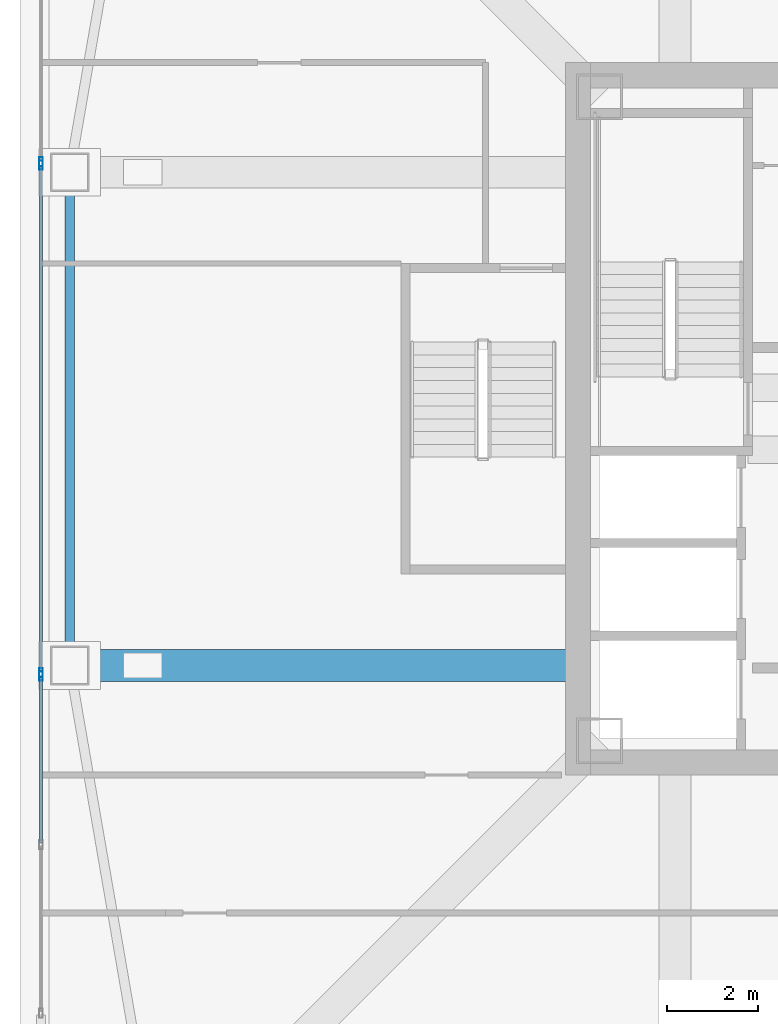
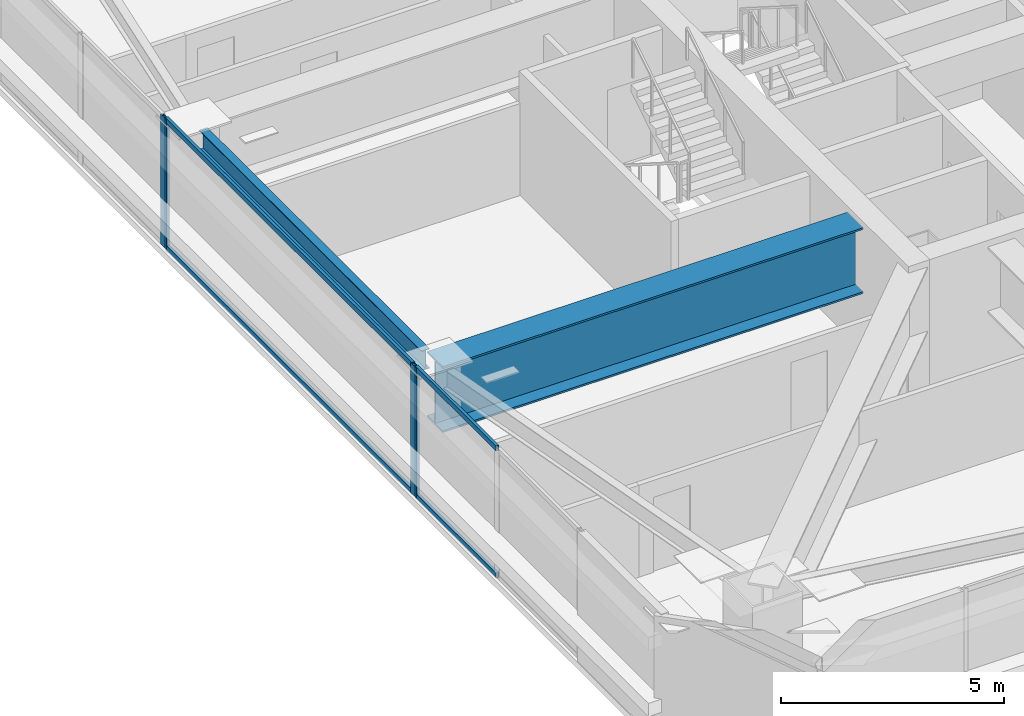
# One storey, part 7 of 42: 8 members, 2 beams, 3 elements without a shape of their own.
"""IFC4 building model written with IfcOpenShell, lengths in metres."""

from ifc_helpers import new_model, si_unit, direction, frame, origin, origin_2d, place, context, subcontext, project, spatial, hollow_rectangle, i_section, extrude, material, material_profile, profile_set, type_object, element, aggregate, save


model = new_model("IFC4")

# Units and contexts
model_context = context("Model", 3, precision=1e-05, world=origin(), true_north=direction((0.0, 1.0)))
body_context = subcontext(model_context, "Body", "Model", "MODEL_VIEW")
ifc_project = project(units=[si_unit("LENGTHUNIT", "METRE"), si_unit("AREAUNIT", "SQUARE_METRE"), si_unit("VOLUMEUNIT", "CUBIC_METRE"), si_unit("PLANEANGLEUNIT", "RADIAN"), si_unit("MASSUNIT", "GRAM", prefix="KILO")], contexts=[model_context])

# Site, building, storey
site_placement = place(None, origin())
site = spatial("IfcSite", under=ifc_project, at=site_placement, CompositionType="ELEMENT")
building_placement = place(site_placement, origin())
building = spatial("IfcBuilding", under=site, at=building_placement, Name="Tashvorn Skyway Center", CompositionType="ELEMENT")
storey_placement = place(building_placement, frame((0.0, 0.0, 153.449951171875)))
storey = spatial("IfcBuildingStorey", under=building, at=storey_placement, Name="L41", CompositionType="ELEMENT", Elevation=153.449951171875)

# Beams
ifc_material_1 = material(Name="Steel ASTM A572 Grade 50", Category="steel")
ifc_material_profile_1 = material_profile(ifc_material_1, i_section(OverallWidth=0.699951171875, OverallDepth=1.800048828125, WebThickness=0.031982421875, FlangeThickness=0.050048828125, at=origin_2d()), Name="PG1800x700")
ifc_profile_set_1 = profile_set([ifc_material_profile_1], Name="Steel ASTM A572 Grade 50")
beam_type_1 = type_object("IfcBeamType", Name="BM-BEAM-PG1800x700", PredefinedType="BEAM", material=ifc_profile_set_1)
beam_1_placement = place(storey_placement, frame((23.35009765625, 26.60009765625, 2.469970703125), z_axis=(1.0, 0.0, 0.0), x_axis=(0.0, 1.0, 0.0)))
element("IfcBeam", 1, at=beam_1_placement, inside=storey, type_object=beam_type_1, Name="Tower 1 L41 Setback Transfer Girder FC-W2", PredefinedType="BEAM", context=body_context, shape_type="SweptSolid", body=[
    extrude(i_section(OverallWidth=0.699951171875, OverallDepth=1.800048828125, WebThickness=0.031982421875, FlangeThickness=0.050048828125, at=origin_2d()), origin(), (0.0, 0.0, 1.0), 10.869873046875),
])
ifc_material_2 = material(Name="Steel ASTM A992 Grade 50", Category="steel")
ifc_material_profile_2 = material_profile(ifc_material_2, i_section(OverallWidth=0.2109375, OverallDepth=0.5390625, WebThickness=0.01171875, FlangeThickness=0.018798828125, at=origin_2d()), Name="W21X73")
ifc_profile_set_2 = profile_set([ifc_material_profile_2], Name="Steel ASTM A992 Grade 50")
beam_type_2 = type_object("IfcBeamType", Name="BM-SPANDREL-W21X73", PredefinedType="SPANDREL", material=ifc_profile_set_2)
beam_2_placement = place(storey_placement, frame((23.35009765625, 36.97998046875, 3.1005859375), z_axis=(0.0, -1.0, 0.0), x_axis=(1.0, 0.0, 0.0)))
element("IfcBeam", 2, at=beam_2_placement, inside=storey, type_object=beam_type_2, Name="Tower 1 L41 Spandrel Beam 11", PredefinedType="SPANDREL", context=body_context, shape_type="SweptSolid", body=[
    extrude(i_section(OverallWidth=0.2109375, OverallDepth=0.5390625, WebThickness=0.01171875, FlangeThickness=0.018798828125, at=origin_2d()), origin(), (0.0, 0.0, 1.0), 9.9599609375),
])

# Curtain wall, member
ifc_material_3 = material(Name="Thermally broken bronze-anodized aluminium 6063-T6", Category="aluminium")
curtain_wall_type = type_object("IfcCurtainWallType", Name="CW-CW-Z3", PredefinedType="NOTDEFINED", material=ifc_material_3)
curtain_wall_1_placement = place(storey_placement, origin())
curtain_wall_1 = element("IfcCurtainWall", 3, at=curtain_wall_1_placement, inside=storey, type_object=curtain_wall_type, Name="Tower 1 L41 West Unitised Curtain Wall Glazing Group 1", PredefinedType="NOTDEFINED")
ifc_material_profile_3 = material_profile(ifc_material_3, hollow_rectangle(XDim=0.074951171875, YDim=0.199951171875, WallThickness=0.00439453125, at=origin_2d()), Name="ALU-MULL-75x200")
ifc_profile_set_3 = profile_set([ifc_material_profile_3], Name="Thermally broken bronze-anodized aluminium 6063-T6")
member_type_1 = type_object("IfcMemberType", Name="CWM-CW-Z3", PredefinedType="MULLION", material=ifc_profile_set_3)
member_1_placement = place(storey_placement, frame((22.719970703125, 26.369140625, 0.0), z_axis=(0.0, 0.0, 1.0), x_axis=(-1.0, 0.0, 0.0)))
member_1 = element("IfcMember", 4, at=member_1_placement, type_object=member_type_1, Name="CW-Z3 mullion 3", PredefinedType="MULLION", context=body_context, shape_type="SweptSolid", body=[
    extrude(hollow_rectangle(XDim=0.074951171875, YDim=0.199951171875, WallThickness=0.00439453125, at=origin_2d()), origin(), (0.0, 0.0, 1.0), 3.550048828125),
])

# Curtain wall, members
curtain_wall_2_placement = place(storey_placement, origin())
curtain_wall_2 = element("IfcCurtainWall", 5, at=curtain_wall_2_placement, inside=storey, type_object=curtain_wall_type, Name="Tower 1 L41 West Unitised Curtain Wall Glazing Group 2", PredefinedType="NOTDEFINED")
member_2_placement = place(storey_placement, frame((22.719970703125, 26.444091796875, 0.0), z_axis=(0.0, 0.0, 1.0), x_axis=(-1.0, 0.0, 0.0)))
member_2 = element("IfcMember", 6, at=member_2_placement, type_object=member_type_1, Name="CW-Z3 mullion 1", PredefinedType="MULLION", context=body_context, shape_type="SweptSolid", body=[
    extrude(hollow_rectangle(XDim=0.074951171875, YDim=0.199951171875, WallThickness=0.00439453125, at=origin_2d()), origin(), (0.0, 0.0, 1.0), 3.550048828125),
])
member_3_placement = place(storey_placement, frame((22.719970703125, 37.555908203125, 0.0), z_axis=(0.0, 0.0, 1.0), x_axis=(-1.0, 0.0, 0.0)))
member_3 = element("IfcMember", 7, at=member_3_placement, type_object=member_type_1, Name="CW-Z3 mullion 2", PredefinedType="MULLION", context=body_context, shape_type="SweptSolid", body=[
    extrude(hollow_rectangle(XDim=0.074951171875, YDim=0.199951171875, WallThickness=0.00439453125, at=origin_2d()), origin(), (0.0, 0.0, 1.0), 3.550048828125),
])

# Curtain wall, member
curtain_wall_3_placement = place(storey_placement, origin())
curtain_wall_3 = element("IfcCurtainWall", 8, at=curtain_wall_3_placement, inside=storey, type_object=curtain_wall_type, Name="Tower 1 L41 West Unitised Curtain Wall Glazing Group 3", PredefinedType="NOTDEFINED")
member_4_placement = place(storey_placement, frame((22.719970703125, 37.630859375, 0.0), z_axis=(0.0, 0.0, 1.0), x_axis=(-1.0, 0.0, 0.0)))
member_4 = element("IfcMember", 9, at=member_4_placement, type_object=member_type_1, Name="CW-Z3 mullion 1", PredefinedType="MULLION", context=body_context, shape_type="SweptSolid", body=[
    extrude(hollow_rectangle(XDim=0.074951171875, YDim=0.199951171875, WallThickness=0.00439453125, at=origin_2d()), origin(), (0.0, 0.0, 1.0), 3.550048828125),
])
aggregate(curtain_wall_3, [member_4])

# Member
ifc_material_profile_4 = material_profile(ifc_material_3, hollow_rectangle(XDim=0.074951171875, YDim=0.139892578125, WallThickness=0.004150390625, at=origin_2d()), Name="ALU-TRAN-75x140")
ifc_profile_set_4 = profile_set([ifc_material_profile_4], Name="Thermally broken bronze-anodized aluminium 6063-T6")
member_type_2 = type_object("IfcMemberType", Name="CWT-CW-Z3", PredefinedType="USERDEFINED", material=ifc_profile_set_4)
member_5_placement = place(storey_placement, frame((22.719970703125, 22.71533203125, 0.03759765625), z_axis=(0.0, 1.0, 0.0), x_axis=(-1.0, 0.0, 0.0)))
member_5 = element("IfcMember", 10, at=member_5_placement, type_object=member_type_2, Name="CW-Z3 transom 2.1", ObjectType="TRANSOM", PredefinedType="USERDEFINED", context=body_context, shape_type="SweptSolid", body=[
    extrude(hollow_rectangle(XDim=0.074951171875, YDim=0.139892578125, WallThickness=0.004150390625, at=origin_2d()), origin(), (0.0, 0.0, 1.0), 3.616455078125),
])

member_6_placement = place(storey_placement, frame((22.719970703125, 22.71533203125, 3.512451171875), z_axis=(0.0, 1.0, 0.0), x_axis=(-1.0, 0.0, 0.0)))
member_6 = element("IfcMember", 11, at=member_6_placement, type_object=member_type_2, Name="CW-Z3 transom 2.2", ObjectType="TRANSOM", PredefinedType="USERDEFINED", context=body_context, shape_type="SweptSolid", body=[
    extrude(hollow_rectangle(XDim=0.074951171875, YDim=0.139892578125, WallThickness=0.004150390625, at=origin_2d()), origin(), (0.0, 0.0, 1.0), 3.616455078125),
])

aggregate(curtain_wall_1, [member_1, member_5, member_6])

member_7_placement = place(storey_placement, frame((22.719970703125, 26.481689453125, 0.03759765625), z_axis=(0.0, 1.0, 0.0), x_axis=(-1.0, 0.0, 0.0)))
member_7 = element("IfcMember", 12, at=member_7_placement, type_object=member_type_2, Name="CW-Z3 transom 1.1", ObjectType="TRANSOM", PredefinedType="USERDEFINED", context=body_context, shape_type="SweptSolid", body=[
    extrude(hollow_rectangle(XDim=0.074951171875, YDim=0.139892578125, WallThickness=0.004150390625, at=origin_2d()), origin(), (0.0, 0.0, 1.0), 11.03662109375),
])

member_8_placement = place(storey_placement, frame((22.719970703125, 26.481689453125, 3.512451171875), z_axis=(0.0, 1.0, 0.0), x_axis=(-1.0, 0.0, 0.0)))
member_8 = element("IfcMember", 13, at=member_8_placement, type_object=member_type_2, Name="CW-Z3 transom 1.2", ObjectType="TRANSOM", PredefinedType="USERDEFINED", context=body_context, shape_type="SweptSolid", body=[
    extrude(hollow_rectangle(XDim=0.074951171875, YDim=0.139892578125, WallThickness=0.004150390625, at=origin_2d()), origin(), (0.0, 0.0, 1.0), 11.03662109375),
])

aggregate(curtain_wall_2, [member_2, member_3, member_7, member_8])

save(model, "model.ifc")
